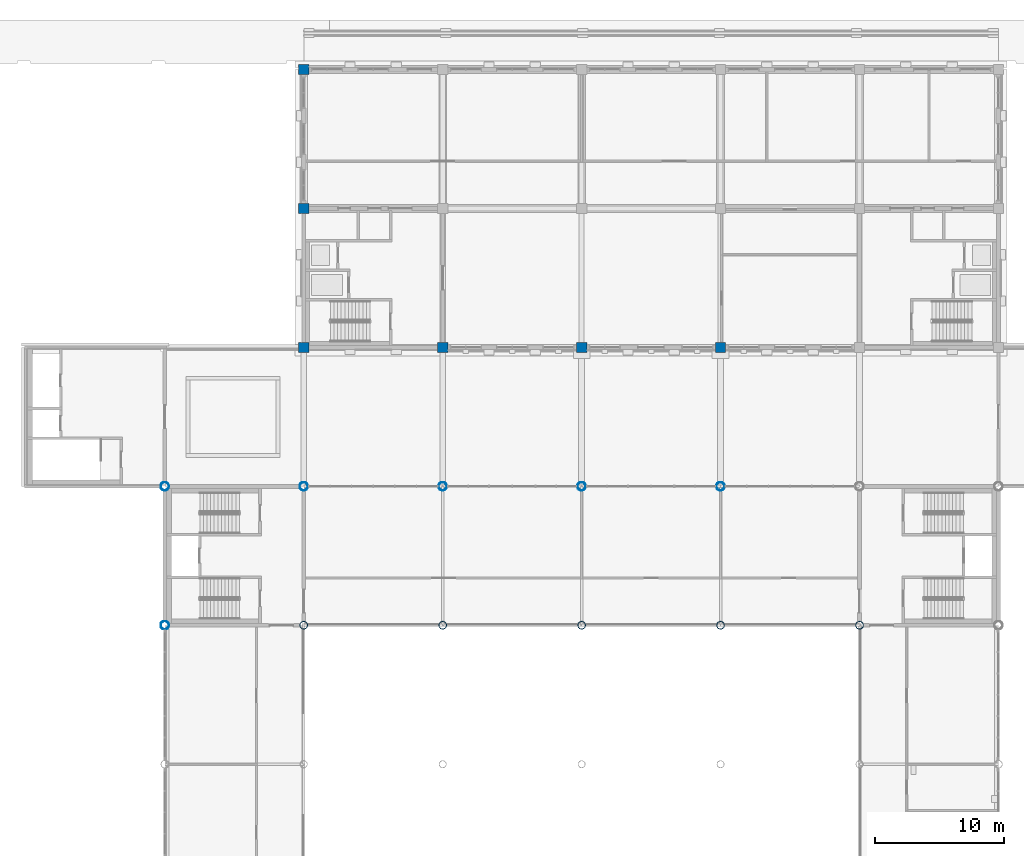
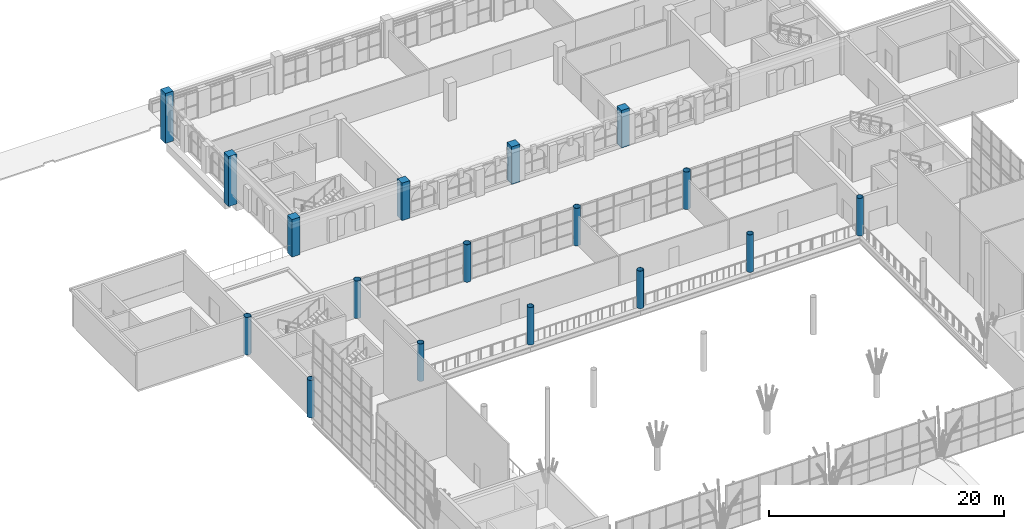
# One storey, part 5 of 95: 17 columns.
"""IFC4 building model written with IfcOpenShell, lengths in metres."""

from ifc_helpers import new_model, si_unit, direction, frame, origin, origin_2d, place, context, subcontext, project, spatial, rectangle, hollow_circle, extrude, material, material_profile, profile_set, type_object, element, save


model = new_model("IFC4")

# Units and contexts
model_context = context("Model", 3, precision=1e-05, world=origin(), true_north=direction((0.0, 1.0)))
body_context = subcontext(model_context, "Body", "Model", "MODEL_VIEW")
ifc_project = project(units=[si_unit("LENGTHUNIT", "METRE"), si_unit("AREAUNIT", "SQUARE_METRE"), si_unit("VOLUMEUNIT", "CUBIC_METRE"), si_unit("PLANEANGLEUNIT", "RADIAN"), si_unit("MASSUNIT", "GRAM", prefix="KILO")], contexts=[model_context])

# Site, building, storey
site_placement = place(None, origin())
site = spatial("IfcSite", under=ifc_project, at=site_placement, CompositionType="ELEMENT")
building_placement = place(site_placement, origin())
building = spatial("IfcBuilding", under=site, at=building_placement, Name="Magnolia Steps Interchange", CompositionType="ELEMENT")
storey_placement = place(building_placement, frame((0.0, 0.0, 4.800048828125)))
storey = spatial("IfcBuildingStorey", under=building, at=storey_placement, Name="L01", CompositionType="ELEMENT", Elevation=4.800048828125)

# Columns
ifc_material_1 = material(Name="Concrete C40", Category="concrete")
ifc_material_profile_1 = material_profile(ifc_material_1, rectangle(XDim=0.800048828125, YDim=0.800048828125, at=origin_2d()), Name="RC800x800")
ifc_profile_set_1 = profile_set([ifc_material_profile_1], Name="Concrete C40")
column_type_1 = type_object("IfcColumnType", Name="RC column 800x800", PredefinedType="COLUMN", material=ifc_profile_set_1)
column_placement = place(storey_placement, frame((64.0, 96.39990234375, 0.0), z_axis=(0.0, 0.0, 1.0), x_axis=(1.0, 0.0, 0.0)))
element("IfcColumn", 1, at=column_placement, inside=storey, type_object=column_type_1, Name="Column OPE-6I L01", PredefinedType="COLUMN", context=body_context, shape_type="SweptSolid", body=[
    extrude(rectangle(XDim=0.800048828125, YDim=0.800048828125, at=origin_2d()), origin(), (0.0, 0.0, 1.0), 3.89990234375),
])
for number, where, z_axis, x_axis, name in (
    (2, (64.0, 107.199951171875, -1.300048828125), (0.0, 0.0, 1.0), (1.0, 0.0, 0.0), "Column OPE-6J L01"),
    (3, (64.0, 118.0, -1.300048828125), (0.0, 0.0, 1.0), (1.0, 0.0, 0.0), "Column OPE-6K L01"),
):
    element("IfcColumn", number, at=place(storey_placement, frame(where, z_axis=z_axis, x_axis=x_axis)), inside=storey, type_object=column_type_1, Name=name, PredefinedType="COLUMN", context=body_context, shape_type="SweptSolid", body=[
        extrude(rectangle(XDim=0.800048828125, YDim=0.800048828125, at=origin_2d()), origin(), (0.0, 0.0, 1.0), 5.199951171875),
    ])
for number, where, z_axis, x_axis, name in (
    (4, (74.800048828125, 96.39990234375, 0.0), (0.0, 0.0, 1.0), (1.0, 0.0, 0.0), "Column OPE-7I L01"),
    (5, (85.60009765625, 96.39990234375, 0.0), (0.0, 0.0, 1.0), (1.0, 0.0, 0.0), "Column OPE-8I L01"),
    (6, (96.39990234375, 96.39990234375, 0.0), (0.0, 0.0, 1.0), (1.0, 0.0, 0.0), "Column OPE-9I L01"),
):
    element("IfcColumn", number, at=place(storey_placement, frame(where, z_axis=z_axis, x_axis=x_axis)), inside=storey, type_object=column_type_1, Name=name, PredefinedType="COLUMN", context=body_context, shape_type="SweptSolid", body=[
        extrude(rectangle(XDim=0.800048828125, YDim=0.800048828125, at=origin_2d()), origin(), (0.0, 0.0, 1.0), 3.89990234375),
    ])
ifc_material_2 = material(Name="Steel Q355B", Category="steel")
ifc_material_profile_2 = material_profile(ifc_material_2, hollow_circle(Radius=0.304931640625, WallThickness=0.02490234375, at=origin_2d()), Name="CHS610x25")
ifc_profile_set_2 = profile_set([ifc_material_profile_2], Name="Steel Q355B")
column_type_2 = type_object("IfcColumnType", Name="Tree trunk CHS610x25", PredefinedType="COLUMN", material=ifc_profile_set_2)
for number, where, z_axis, x_axis, name in (
    (7, (64.0, 74.800048828125, 0.0), (0.0, 0.0, 1.0), (1.0, 0.0, 0.0), "Tree trunk TH02D"),
    (8, (74.800048828125, 74.800048828125, 0.0), (0.0, 0.0, 1.0), (1.0, 0.0, 0.0), "Tree trunk TH03D"),
    (9, (85.60009765625, 74.800048828125, 0.0), (0.0, 0.0, 1.0), (1.0, 0.0, 0.0), "Tree trunk TH04D"),
    (10, (96.39990234375, 74.800048828125, 0.0), (0.0, 0.0, 1.0), (1.0, 0.0, 0.0), "Tree trunk TH05D"),
    (11, (107.199951171875, 74.800048828125, 0.0), (0.0, 0.0, 1.0), (1.0, 0.0, 0.0), "Tree trunk TH06D"),
):
    element("IfcColumn", number, at=place(storey_placement, frame(where, z_axis=z_axis, x_axis=x_axis)), inside=storey, type_object=column_type_2, Name=name, PredefinedType="COLUMN", context=body_context, shape_type="SweptSolid", body=[
        extrude(hollow_circle(Radius=0.304931640625, WallThickness=0.02490234375, at=origin_2d()), origin(), (0.0, 0.0, 1.0), 3.89990234375),
    ])
ifc_material_3 = material(Name="Steel Q355B", Category="steel")
ifc_material_profile_3 = material_profile(ifc_material_3, hollow_circle(Radius=0.330078125, WallThickness=0.02490234375, at=origin_2d()), Name="CHS660x25")
ifc_profile_set_3 = profile_set([ifc_material_profile_3], Name="Steel Q355B")
column_type_3 = type_object("IfcColumnType", Name="Tree trunk CHS660x25", PredefinedType="COLUMN", material=ifc_profile_set_3)
for number, where, z_axis, x_axis, name in (
    (12, (53.199951171875, 74.800048828125, 0.0), (0.0, 0.0, 1.0), (1.0, 0.0, 0.0), "Tree trunk TH01D"),
    (13, (53.199951171875, 85.60009765625, 0.0), (0.0, 0.0, 1.0), (1.0, 0.0, 0.0), "Tree trunk TH01E"),
    (14, (64.0, 85.60009765625, 0.0), (0.0, 0.0, 1.0), (1.0, 0.0, 0.0), "Tree trunk TH02E"),
    (15, (74.800048828125, 85.60009765625, 0.0), (0.0, 0.0, 1.0), (1.0, 0.0, 0.0), "Tree trunk TH03E"),
    (16, (85.60009765625, 85.60009765625, 0.0), (0.0, 0.0, 1.0), (1.0, 0.0, 0.0), "Tree trunk TH04E"),
    (17, (96.39990234375, 85.60009765625, 0.0), (0.0, 0.0, 1.0), (1.0, 0.0, 0.0), "Tree trunk TH05E"),
):
    element("IfcColumn", number, at=place(storey_placement, frame(where, z_axis=z_axis, x_axis=x_axis)), inside=storey, type_object=column_type_3, Name=name, PredefinedType="COLUMN", context=body_context, shape_type="SweptSolid", body=[
        extrude(hollow_circle(Radius=0.330078125, WallThickness=0.02490234375, at=origin_2d()), origin(), (0.0, 0.0, 1.0), 3.89990234375),
    ])

save(model, "model.ifc")
